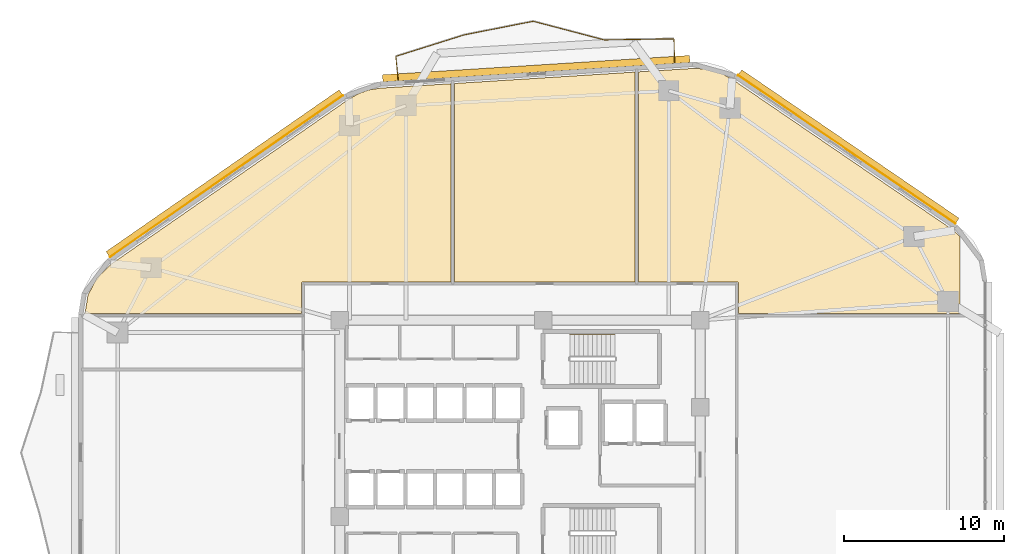
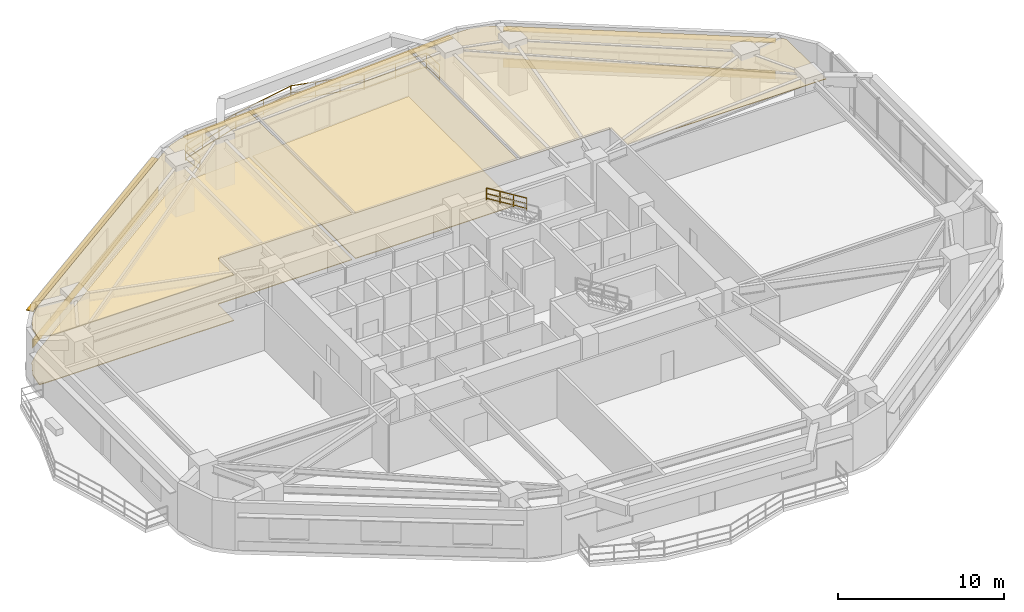
# One storey, part 14 of 14: 7 coverings, 7 railings, 3 shading devices.
"""IFC4 building model written with IfcOpenShell, lengths in metres."""

import ifcopenshell
import ifcopenshell.guid

model = None  # the IFC model being written
_history = None  # IfcOwnerHistory: only IFC2X3 demands one
_inside = {}  # id of a spatial element -> (the spatial element, [elements in it])
_under = {}  # id of a project, library or spatial element -> (it, [spatial elements below it])
_declared = {}  # id of a project -> (the project, [libraries it declares])
_typed = {}  # id of a type object -> (the type object, [elements of that type])
_made_of = {}  # id of a material, layer set ... -> (it, [elements and type objects made of it])


def new_model(schema):
    """Start an empty IFC model of exactly this schema.

    Asked for "IFC4X3", IfcOpenShell would pick the latest addendum, in which some entities
    have other attributes; the version numbers below select the first issue.
    IFC2X3 requires an IfcOwnerHistory on every rooted entity: one is made here for all.
    """
    global model, _history
    if schema == "IFC4X3":
        model = ifcopenshell.file(schema_version=(4, 3, 0, 0))
    else:
        model = ifcopenshell.file(schema=schema)
    _inside.clear()
    _under.clear()
    _declared.clear()
    _typed.clear()
    _made_of.clear()
    _history = None
    if model.schema == "IFC2X3":
        org = make("IfcOrganization", Name="unknown")
        user = make(
            "IfcPersonAndOrganization",
            ThePerson=make("IfcPerson", FamilyName="unknown"),
            TheOrganization=org,
        )
        app = make(
            "IfcApplication",
            ApplicationDeveloper=org,
            Version="unknown",
            ApplicationFullName="unknown",
            ApplicationIdentifier="unknown",
        )
        _history = make(
            "IfcOwnerHistory",
            OwningUser=user,
            OwningApplication=app,
            ChangeAction="ADDED",
            CreationDate=0,
        )
    return model


def make(cls, **values):
    """One entity of the class cls with the attributes given. An attribute that is None is left unset."""
    return model.create_entity(
        cls, **{name: value for name, value in values.items() if value is not None}
    )


def rooted(cls, **values):
    """An entity with a GlobalId (a new one), such as an element, a storey or a relation."""
    return make(cls, GlobalId=ifcopenshell.guid.new(), OwnerHistory=_history, **values)


def si_unit(unit_type, name, prefix=None):
    """IfcSIUnit, for example si_unit("LENGTHUNIT", "METRE", prefix="MILLI")."""
    return make("IfcSIUnit", UnitType=unit_type, Prefix=prefix, Name=name)


def assignment(units):
    """IfcUnitAssignment: the units of a project."""
    return None if units is None else make("IfcUnitAssignment", Units=units)


def point(xyz):
    """IfcCartesianPoint."""
    return None if xyz is None else make("IfcCartesianPoint", Coordinates=xyz)


def direction(xyz):
    """IfcDirection."""
    return None if xyz is None else make("IfcDirection", DirectionRatios=xyz)


def frame(location, z_axis=None, x_axis=None):
    """IfcAxis2Placement3D, a coordinate frame: its origin and axes. An axis left out is left unset."""
    return make(
        "IfcAxis2Placement3D",
        Location=point(location),
        Axis=direction(z_axis),
        RefDirection=direction(x_axis),
    )


def frame_2d(location, x_axis=None):
    """IfcAxis2Placement2D, a coordinate frame in the plane: its origin and x axis."""
    return make(
        "IfcAxis2Placement2D", Location=point(location), RefDirection=direction(x_axis)
    )


def origin():
    """The frame at (0, 0, 0) with its axes left unset."""
    return frame((0.0, 0.0, 0.0))


def origin_2d():
    """The frame at (0, 0) in the plane with its x axis left unset."""
    return frame_2d((0.0, 0.0))


def place(relative_to, where):
    """IfcLocalPlacement: puts the frame where relative to a parent placement (None: the world)."""
    return make(
        "IfcLocalPlacement", PlacementRelTo=relative_to, RelativePlacement=where
    )


def context(
    kind, dimensions, precision=None, world=None, true_north=None, identifier=None
):
    """IfcGeometricRepresentationContext, for example the 3D "Model" context."""
    return make(
        "IfcGeometricRepresentationContext",
        ContextIdentifier=identifier,
        ContextType=kind,
        CoordinateSpaceDimension=dimensions,
        Precision=precision,
        WorldCoordinateSystem=world,
        TrueNorth=true_north,
    )


def subcontext(parent, identifier, kind, view, scale=None):
    """IfcGeometricRepresentationSubContext, for example "Body" below "Model"."""
    return make(
        "IfcGeometricRepresentationSubContext",
        ContextIdentifier=identifier,
        ContextType=kind,
        ParentContext=parent,
        TargetScale=scale,
        TargetView=view,
    )


def project(units=None, contexts=None):
    """IfcProject with its units and contexts."""
    return rooted(
        "IfcProject",
        Name="project",
        RepresentationContexts=contexts,
        UnitsInContext=assignment(units),
    )


def spatial(cls, under=None, at=None, **own):
    """A site, building, storey or space (cls), placed at a placement, below another one or the project."""
    s = rooted(cls, ObjectPlacement=at, **own)
    if under is not None:
        _under.setdefault(under.id(), (under, []))[1].append(s)
    return s


def polyline(points):
    """IfcPolyline through the points."""
    return make("IfcPolyline", Points=[point(p) for p in points])


def profile(cls, at=None, kind="AREA", **sizes):
    """A parametric profile (cls). Its sizes go by their IFC names, for example OverallWidth=200.0."""
    return make(cls, ProfileType=kind, Position=at, **sizes)


def rectangle(**sizes):
    """IfcRectangleProfileDef."""
    return profile("IfcRectangleProfileDef", **sizes)


def outline(outer, holes=None, kind="AREA"):
    """IfcArbitraryClosedProfileDef: a profile drawn as a closed curve; with holes, ...WithVoids."""
    if holes is None:
        return make("IfcArbitraryClosedProfileDef", ProfileType=kind, OuterCurve=outer)
    return make(
        "IfcArbitraryProfileDefWithVoids",
        ProfileType=kind,
        OuterCurve=outer,
        InnerCurves=holes,
    )


def extrude(swept, where, along, depth):
    """IfcExtrudedAreaSolid: the profile swept, set in the frame where, extruded along a direction by depth."""
    return make(
        "IfcExtrudedAreaSolid",
        SweptArea=swept,
        Position=where,
        ExtrudedDirection=direction(along),
        Depth=depth,
    )


def shape(context_of_items, identifier, shape_type, items):
    """IfcShapeRepresentation: the items that make up one representation, for example the "Body"."""
    return make(
        "IfcShapeRepresentation",
        ContextOfItems=context_of_items,
        RepresentationIdentifier=identifier,
        RepresentationType=shape_type,
        Items=items,
    )


def material(Name=None, Category=None):
    """IfcMaterial."""
    return make("IfcMaterial", Name=Name, Category=Category)


def layer(
    of_material, thickness, ventilated=None, Name=None, Category=None, Priority=None
):
    """IfcMaterialLayer: one layer of a wall or slab, of a material (None: an air gap)."""
    return make(
        "IfcMaterialLayer",
        Material=of_material,
        LayerThickness=thickness,
        IsVentilated=ventilated,
        Name=Name,
        Category=Category,
        Priority=Priority,
    )


def layer_set(layers, Name=None):
    """IfcMaterialLayerSet."""
    return make("IfcMaterialLayerSet", MaterialLayers=layers, LayerSetName=Name)


def made_of(thing, what):
    """Note that an element or type object is made of a material, layer set ...; save() writes the relation."""
    if what is not None:
        _made_of.setdefault(what.id(), (what, []))[1].append(thing)
    return thing


def type_object(cls, material=None, **own):
    """A type object (cls), such as IfcWallType, which elements share."""
    return made_of(rooted(cls, **own), material)


def element(
    cls,
    number,
    at=None,
    inside=None,
    cuts=None,
    type_object=None,
    material=None,
    context=None,
    identifier="Body",
    shape_type=None,
    held_by="IfcProductDefinitionShape",
    body=None,
    shapes=None,
    **own,
):
    """One element of the class cls, such as IfcWall. Its Tag is "e" and its number.

    at: its placement. inside: the storey or other place that contains it. cuts: it is an
    opening in that element (IfcRelVoidsElement). A single representation is given by context,
    identifier, shape_type and body (its items); several are given by shapes. held_by: the class
    of the entity that holds the representations. save() writes the other relations.
    """
    e = rooted(cls, Tag="e%d" % number, ObjectPlacement=at, **own)
    if body is not None:
        shapes = [shape(context, identifier, shape_type, body)]
    if shapes is not None:
        e.Representation = make(held_by, Representations=shapes)
    if inside is not None:
        _inside.setdefault(inside.id(), (inside, []))[1].append(e)
    if cuts is not None:
        rooted(
            "IfcRelVoidsElement", RelatingBuildingElement=cuts, RelatedOpeningElement=e
        )
    if type_object is not None:
        _typed.setdefault(type_object.id(), (type_object, []))[1].append(e)
    return made_of(e, material)


def aggregate(whole, parts):
    """IfcRelAggregates: a whole, such as a stair, and the parts it consists of."""
    return rooted("IfcRelAggregates", RelatingObject=whole, RelatedObjects=parts)


def save(model, path):
    """Write the relations noted so far, then the file.

    IfcRelAggregates (storeys below a building ...), IfcRelContainedInSpatialStructure (elements
    in a storey), IfcRelDefinesByType, IfcRelAssociatesMaterial and IfcRelDeclares: one each for
    every whole, place, type object, material and project.
    """
    for whole, parts in _under.values():
        aggregate(whole, parts)
    for where, things in _inside.values():
        rooted(
            "IfcRelContainedInSpatialStructure",
            RelatedElements=things,
            RelatingStructure=where,
        )
    for kind, things in _typed.values():
        rooted("IfcRelDefinesByType", RelatedObjects=things, RelatingType=kind)
    for what, things in _made_of.values():
        rooted("IfcRelAssociatesMaterial", RelatedObjects=things, RelatingMaterial=what)
    for by, libraries in _declared.values():
        rooted("IfcRelDeclares", RelatingContext=by, RelatedDefinitions=libraries)
    model.write(path)


model = new_model("IFC4")

# Units and contexts
model_context = context("Model", 3, precision=1e-05, world=origin(), true_north=direction((0.0, 1.0)))
body_context = subcontext(model_context, "Body", "Model", "MODEL_VIEW")
ifc_project = project(units=[si_unit("LENGTHUNIT", "METRE"), si_unit("AREAUNIT", "SQUARE_METRE"), si_unit("VOLUMEUNIT", "CUBIC_METRE"), si_unit("PLANEANGLEUNIT", "RADIAN"), si_unit("MASSUNIT", "GRAM", prefix="KILO")], contexts=[model_context])

# Site, building, storey
site_placement = place(None, origin())
site = spatial("IfcSite", under=ifc_project, at=site_placement, CompositionType="ELEMENT")
building_placement = place(site_placement, origin())
building = spatial("IfcBuilding", under=site, at=building_placement, Name="Zulverin Broadcast Headquarters", CompositionType="ELEMENT")
storey_placement = place(building_placement, frame((0.0, 0.0, 40.199951171875)))
storey = spatial("IfcBuildingStorey", under=building, at=storey_placement, Name="L09", CompositionType="ELEMENT", Elevation=40.199951171875)

# Coverings
ifc_material_1 = material(Name="Perforated pale-metal acoustic baffle ceiling", Category="aluminium")
ifc_layer_1 = layer(ifc_material_1, 0.0400390625, Name="Perforated pale-metal acoustic baffle ceiling", Category="aluminium")
ifc_layer_set_1 = layer_set([ifc_layer_1], Name="Perforated pale-metal acoustic baffle ceiling")
covering_type_1 = type_object("IfcCoveringType", Name="COV-CEIL-ACOU", PredefinedType="CEILING", material=ifc_layer_set_1)
covering_1_placement = place(storey_placement, frame((0.0, 0.0, 3.344970703125)))
element("IfcCovering", 1, at=covering_1_placement, inside=storey, type_object=covering_type_1, Name="L09 Acoustic Baffle Ceiling 01", PredefinedType="CEILING", context=body_context, shape_type="SweptSolid", body=[
    extrude(outline(polyline([(11.4599609375, 36.583984375), (10.56005859375, 35.719970703125), (10.0, 34.639892578125), (9.81591796875, 33.5), (23.33203125, 33.5), (23.33203125, 35.35205078125), (23.33203125, 35.364013671875), (23.3359375, 35.3759765625), (23.3359375, 35.387939453125), (23.340087890625, 35.39599609375), (23.347900390625, 35.407958984375), (23.35205078125, 35.419921875), (23.360107421875, 35.427978515625), (23.367919921875, 35.43603515625), (23.3759765625, 35.444091796875), (23.384033203125, 35.451904296875), (23.39599609375, 35.4560546875), (23.407958984375, 35.464111328125), (23.416015625, 35.468017578125), (23.427978515625, 35.468017578125), (23.43994140625, 35.471923828125), (23.451904296875, 35.471923828125), (32.679931640625, 35.471923828125), (32.679931640625, 47.85205078125), (28.27587890625, 47.575927734375), (27.575927734375, 47.468017578125), (26.927978515625, 47.243896484375), (26.31591796875, 46.89599609375), (11.4599609375, 36.583984375)])), origin(), (0.0, 0.0, 1.0), 0.0400390625),
])
covering_2_placement = place(storey_placement, frame((0.0, 0.0, 3.344970703125)))
element("IfcCovering", 2, at=covering_2_placement, inside=storey, type_object=covering_type_1, Name="L09 Acoustic Baffle Ceiling 02", PredefinedType="CEILING", context=body_context, shape_type="SweptSolid", body=[
    extrude(outline(polyline([(44.179931640625, 35.471923828125), (44.179931640625, 48.580078125), (32.919921875, 47.867919921875), (32.919921875, 35.471923828125), (44.179931640625, 35.471923828125)])), origin(), (0.0, 0.0, 1.0), 0.0400390625),
])
covering_3_placement = place(storey_placement, frame((0.0, 0.0, 3.344970703125)))
element("IfcCovering", 3, at=covering_3_placement, inside=storey, type_object=covering_type_1, Name="L09 Acoustic Baffle Ceiling 03", PredefinedType="CEILING", context=body_context, shape_type="SweptSolid", body=[
    extrude(outline(polyline([(64.5, 38.303955078125), (64.115966796875, 38.672119140625), (50.248046875, 48.139892578125), (49.491943359375, 48.548095703125), (48.68408203125, 48.76806640625), (47.823974609375, 48.80810546875), (44.419921875, 48.595947265625), (44.419921875, 35.471923828125), (50.552001953125, 35.471923828125), (50.56396484375, 35.471923828125), (50.575927734375, 35.468017578125), (50.587890625, 35.468017578125), (50.595947265625, 35.464111328125), (50.60791015625, 35.4560546875), (50.6201171875, 35.451904296875), (50.6279296875, 35.444091796875), (50.635986328125, 35.43603515625), (50.64404296875, 35.427978515625), (50.652099609375, 35.419921875), (50.656005859375, 35.407958984375), (50.6640625, 35.39599609375), (50.66796875, 35.387939453125), (50.66796875, 35.3759765625), (50.672119140625, 35.364013671875), (50.672119140625, 35.35205078125), (50.672119140625, 33.5), (64.5, 33.5), (64.5, 38.303955078125)])), origin(), (0.0, 0.0, 1.0), 0.0400390625),
])
ifc_material_2 = material(Name="Brushed pale-aluminium rainscreen cladding", Category="aluminium")
ifc_layer_2 = layer(ifc_material_2, 0.0400390625, Name="Brushed pale-aluminium rainscreen cladding", Category="aluminium")
ifc_layer_set_2 = layer_set([ifc_layer_2], Name="Brushed pale-aluminium rainscreen cladding")
covering_type_2 = type_object("IfcCoveringType", Name="COV-CLAD-PALE", PredefinedType="CLADDING", material=ifc_layer_set_2)
covering_4_placement = place(storey_placement, frame((57.418212890625, 43.742431640625, 0.05517578125), z_axis=(0.0, 0.0, 1.0), x_axis=(-0.825756855157, 0.564026254851, 0.0)))
element("IfcCovering", 4, at=covering_4_placement, inside=storey, type_object=covering_type_2, Name="L09 Brushed Pale-Aluminium Spandrel Cladding 4", PredefinedType="CLADDING", context=body_context, shape_type="SweptSolid", body=[
    extrude(rectangle(XDim=16.4482421875, YDim=0.0400390625, at=origin_2d()), origin(), (0.0, 0.0, 1.0), 0.64990234375),
])
covering_5_placement = place(storey_placement, frame((18.648193359375, 42.072021484375, 0.05517578125), z_axis=(0.0, 0.0, 1.0), x_axis=(-0.821556397865, -0.57012725345, 0.0)))
element("IfcCovering", 5, at=covering_5_placement, inside=storey, type_object=covering_type_2, Name="L09 Brushed Pale-Aluminium Spandrel Cladding 6", PredefinedType="CLADDING", context=body_context, shape_type="SweptSolid", body=[
    extrude(rectangle(XDim=17.732421875, YDim=0.0400390625, at=origin_2d()), origin(), (0.0, 0.0, 1.0), 0.64990234375),
])
ifc_material_3 = material(Name="Anti-static broadcast raised access flooring", Category="stone")
ifc_layer_3 = layer(ifc_material_3, 0.050048828125, Name="Anti-static broadcast raised access flooring", Category="stone")
ifc_layer_set_3 = layer_set([ifc_layer_3], Name="Anti-static broadcast raised access flooring")
covering_type_3 = type_object("IfcCoveringType", Name="COV-FLR-RAISED", PredefinedType="FLOORING", material=ifc_layer_set_3)
covering_6_placement = place(storey_placement, origin())
element("IfcCovering", 6, at=covering_6_placement, inside=storey, type_object=covering_type_3, Name="L09 Broadcast Raised Access Flooring 01", PredefinedType="FLOORING", context=body_context, shape_type="SweptSolid", body=[
    extrude(outline(polyline([(11.4599609375, 36.583984375), (10.56005859375, 35.719970703125), (10.0, 34.639892578125), (9.81591796875, 33.5), (23.33203125, 33.5), (23.33203125, 35.35205078125), (23.33203125, 35.364013671875), (23.3359375, 35.3759765625), (23.3359375, 35.387939453125), (23.340087890625, 35.39599609375), (23.347900390625, 35.407958984375), (23.35205078125, 35.419921875), (23.360107421875, 35.427978515625), (23.367919921875, 35.43603515625), (23.3759765625, 35.444091796875), (23.384033203125, 35.451904296875), (23.39599609375, 35.4560546875), (23.407958984375, 35.464111328125), (23.416015625, 35.468017578125), (23.427978515625, 35.468017578125), (23.43994140625, 35.471923828125), (23.451904296875, 35.471923828125), (32.679931640625, 35.471923828125), (32.679931640625, 47.85205078125), (28.27587890625, 47.575927734375), (27.575927734375, 47.468017578125), (26.927978515625, 47.243896484375), (26.31591796875, 46.89599609375), (11.4599609375, 36.583984375)])), origin(), (0.0, 0.0, 1.0), 0.050048828125),
])
covering_7_placement = place(storey_placement, origin())
element("IfcCovering", 7, at=covering_7_placement, inside=storey, type_object=covering_type_3, Name="L09 Broadcast Raised Access Flooring 02", PredefinedType="FLOORING", context=body_context, shape_type="SweptSolid", body=[
    extrude(outline(polyline([(44.179931640625, 35.471923828125), (44.179931640625, 48.580078125), (32.919921875, 47.867919921875), (32.919921875, 35.471923828125), (44.179931640625, 35.471923828125)])), origin(), (0.0, 0.0, 1.0), 0.050048828125),
])

# Railings
ifc_material_4 = material(Name="Brushed stainless steel & laminated glass balustrade", Category="steel")
railing_type_1 = type_object("IfcRailingType", Name="RL-GUARD-1150", PredefinedType="GUARDRAIL", material=ifc_material_4)
railing_1_placement = place(storey_placement, frame((46.662841796875, 49.176025390625, 0.0)))
element("IfcRailing", 8, at=railing_1_placement, inside=storey, type_object=railing_type_1, Name="L09 Vertical-Forest Balcony Guardrail BAL_N Segment 01", PredefinedType="GUARDRAIL", context=body_context, shape_type="SweptSolid", body=[
    extrude(rectangle(XDim=0.048095703125, YDim=0.048095703125, at=origin_2d()), frame((0.0, 0.0, 1.1259765625), z_axis=(-0.022479328211, 0.999747307975, 0.0), x_axis=(-0.999747307975, -0.022479328211, 0.0)), (0.0, 0.0, 1.0), 1.46630859375),
    extrude(rectangle(XDim=0.0419921875, YDim=0.0419921875, at=origin_2d()), frame((0.0, 0.0, 0.597900390625), z_axis=(-0.022479328211, 0.999747307975, 0.0), x_axis=(-0.999747307975, -0.022479328211, 0.0)), (0.0, 0.0, 1.0), 1.46630859375),
    extrude(rectangle(XDim=0.0419921875, YDim=0.0419921875, at=origin_2d()), frame((0.0, 0.0, 0.1201171875), z_axis=(-0.022479328211, 0.999747307975, 0.0), x_axis=(-0.999747307975, -0.022479328211, 0.0)), (0.0, 0.0, 1.0), 1.46630859375),
    extrude(rectangle(XDim=0.0419921875, YDim=0.0419921875, at=origin_2d()), origin(), (0.0, 0.0, 1.0), 1.101806640625),
    extrude(rectangle(XDim=0.0419921875, YDim=0.0419921875, at=origin_2d()), frame((-0.032958984375, 1.4658203125, 0.0)), (0.0, 0.0, 1.0), 1.101806640625),
])
railing_2_placement = place(storey_placement, frame((46.614501953125, 50.65673828125, 0.0)))
element("IfcRailing", 9, at=railing_2_placement, inside=storey, type_object=railing_type_1, Name="L09 Vertical-Forest Balcony Guardrail BAL_N Segment 02", PredefinedType="GUARDRAIL", context=body_context, shape_type="SweptSolid", body=[
    extrude(rectangle(XDim=0.048095703125, YDim=0.048095703125, at=origin_2d()), frame((0.0, 0.0, 1.1259765625), z_axis=(-0.999879036246, -0.015553548667, 0.0), x_axis=(0.015553548667, -0.999879036246, 0.0)), (0.0, 0.0, 1.0), 4.332275390625),
    extrude(rectangle(XDim=0.0419921875, YDim=0.0419921875, at=origin_2d()), frame((0.0, 0.0, 0.597900390625), z_axis=(-0.999879036246, -0.015553548667, 0.0), x_axis=(0.015553548667, -0.999879036246, 0.0)), (0.0, 0.0, 1.0), 4.332275390625),
    extrude(rectangle(XDim=0.0419921875, YDim=0.0419921875, at=origin_2d()), frame((0.0, 0.0, 0.1201171875), z_axis=(-0.999879036246, -0.015553548667, 0.0), x_axis=(0.015553548667, -0.999879036246, 0.0)), (0.0, 0.0, 1.0), 4.332275390625),
    extrude(rectangle(XDim=0.0419921875, YDim=0.0419921875, at=origin_2d()), origin(), (0.0, 0.0, 1.0), 1.101806640625),
    extrude(rectangle(XDim=0.0419921875, YDim=0.0419921875, at=origin_2d()), frame((-2.166015625, -0.03369140625, 0.0)), (0.0, 0.0, 1.0), 1.101806640625),
    extrude(rectangle(XDim=0.0419921875, YDim=0.0419921875, at=origin_2d()), frame((-4.331787109375, -0.0673828125, 0.0)), (0.0, 0.0, 1.0), 1.101806640625),
])
railing_3_placement = place(storey_placement, frame((42.253173828125, 50.593017578125, 0.0)))
element("IfcRailing", 10, at=railing_3_placement, inside=storey, type_object=railing_type_1, Name="L09 Vertical-Forest Balcony Guardrail BAL_N Segment 03", PredefinedType="GUARDRAIL", context=body_context, shape_type="SweptSolid", body=[
    extrude(rectangle(XDim=0.048095703125, YDim=0.048095703125, at=origin_2d()), frame((0.0, 0.0, 1.1259765625), z_axis=(-0.967192331505, 0.254045259507, 0.0), x_axis=(-0.254045259507, -0.967192331505, 0.0)), (0.0, 0.0, 1.0), 4.56005859375),
    extrude(rectangle(XDim=0.0419921875, YDim=0.0419921875, at=origin_2d()), frame((0.0, 0.0, 0.597900390625), z_axis=(-0.967192331505, 0.254045259507, 0.0), x_axis=(-0.254045259507, -0.967192331505, 0.0)), (0.0, 0.0, 1.0), 4.56005859375),
    extrude(rectangle(XDim=0.0419921875, YDim=0.0419921875, at=origin_2d()), frame((0.0, 0.0, 0.1201171875), z_axis=(-0.967192331505, 0.254045259507, 0.0), x_axis=(-0.254045259507, -0.967192331505, 0.0)), (0.0, 0.0, 1.0), 4.56005859375),
    extrude(rectangle(XDim=0.0419921875, YDim=0.0419921875, at=origin_2d()), origin(), (0.0, 0.0, 1.0), 1.101806640625),
    extrude(rectangle(XDim=0.0419921875, YDim=0.0419921875, at=origin_2d()), frame((-1.47021484375, 0.38623046875, 0.0)), (0.0, 0.0, 1.0), 1.101806640625),
    extrude(rectangle(XDim=0.0419921875, YDim=0.0419921875, at=origin_2d()), frame((-2.940185546875, 0.772216796875, 0.0)), (0.0, 0.0, 1.0), 1.101806640625),
    extrude(rectangle(XDim=0.0419921875, YDim=0.0419921875, at=origin_2d()), frame((-4.410400390625, 1.158447265625, 0.0)), (0.0, 0.0, 1.0), 1.101806640625),
])
railing_4_placement = place(storey_placement, frame((37.8134765625, 51.752197265625, 0.0)))
element("IfcRailing", 11, at=railing_4_placement, inside=storey, type_object=railing_type_1, Name="L09 Vertical-Forest Balcony Guardrail BAL_N Segment 04", PredefinedType="GUARDRAIL", context=body_context, shape_type="SweptSolid", body=[
    extrude(rectangle(XDim=0.048095703125, YDim=0.048095703125, at=origin_2d()), frame((0.0, 0.0, 1.1259765625), z_axis=(-0.981131719927, -0.193340497964, 0.0), x_axis=(0.193340497964, -0.981131719927, 0.0)), (0.0, 0.0, 1.0), 4.365234375),
    extrude(rectangle(XDim=0.0419921875, YDim=0.0419921875, at=origin_2d()), frame((0.0, 0.0, 0.597900390625), z_axis=(-0.981131719927, -0.193340497964, 0.0), x_axis=(0.193340497964, -0.981131719927, 0.0)), (0.0, 0.0, 1.0), 4.365234375),
    extrude(rectangle(XDim=0.0419921875, YDim=0.0419921875, at=origin_2d()), frame((0.0, 0.0, 0.1201171875), z_axis=(-0.981131719927, -0.193340497964, 0.0), x_axis=(0.193340497964, -0.981131719927, 0.0)), (0.0, 0.0, 1.0), 4.365234375),
    extrude(rectangle(XDim=0.0419921875, YDim=0.0419921875, at=origin_2d()), origin(), (0.0, 0.0, 1.0), 1.101806640625),
    extrude(rectangle(XDim=0.0419921875, YDim=0.0419921875, at=origin_2d()), frame((-2.1416015625, -0.421875, 0.0)), (0.0, 0.0, 1.0), 1.101806640625),
    extrude(rectangle(XDim=0.0419921875, YDim=0.0419921875, at=origin_2d()), frame((-4.282958984375, -0.843994140625, 0.0)), (0.0, 0.0, 1.0), 1.101806640625),
])
railing_5_placement = place(storey_placement, frame((33.50146484375, 50.90087890625, 0.0)))
element("IfcRailing", 12, at=railing_5_placement, inside=storey, type_object=railing_type_1, Name="L09 Vertical-Forest Balcony Guardrail BAL_N Segment 05", PredefinedType="GUARDRAIL", context=body_context, shape_type="SweptSolid", body=[
    extrude(rectangle(XDim=0.048095703125, YDim=0.048095703125, at=origin_2d()), frame((0.0, 0.0, 1.1259765625), z_axis=(-0.954002220599, -0.29979953818, 0.0), x_axis=(0.29979953818, -0.954002220599, 0.0)), (0.0, 0.0, 1.0), 4.457763671875),
    extrude(rectangle(XDim=0.0419921875, YDim=0.0419921875, at=origin_2d()), frame((0.0, 0.0, 0.597900390625), z_axis=(-0.954002220599, -0.29979953818, 0.0), x_axis=(0.29979953818, -0.954002220599, 0.0)), (0.0, 0.0, 1.0), 4.457763671875),
    extrude(rectangle(XDim=0.0419921875, YDim=0.0419921875, at=origin_2d()), frame((0.0, 0.0, 0.1201171875), z_axis=(-0.954002220599, -0.29979953818, 0.0), x_axis=(0.29979953818, -0.954002220599, 0.0)), (0.0, 0.0, 1.0), 4.457763671875),
    extrude(rectangle(XDim=0.0419921875, YDim=0.0419921875, at=origin_2d()), origin(), (0.0, 0.0, 1.0), 1.101806640625),
    extrude(rectangle(XDim=0.0419921875, YDim=0.0419921875, at=origin_2d()), frame((-1.41748046875, -0.445556640625, 0.0)), (0.0, 0.0, 1.0), 1.101806640625),
    extrude(rectangle(XDim=0.0419921875, YDim=0.0419921875, at=origin_2d()), frame((-2.835205078125, -0.890869140625, 0.0)), (0.0, 0.0, 1.0), 1.101806640625),
    extrude(rectangle(XDim=0.0419921875, YDim=0.0419921875, at=origin_2d()), frame((-4.252685546875, -1.33642578125, 0.0)), (0.0, 0.0, 1.0), 1.101806640625),
])
railing_6_placement = place(storey_placement, frame((29.236083984375, 49.545166015625, 0.0)))
element("IfcRailing", 13, at=railing_6_placement, inside=storey, type_object=railing_type_1, Name="L09 Vertical-Forest Balcony Guardrail BAL_N Segment 06", PredefinedType="GUARDRAIL", context=body_context, shape_type="SweptSolid", body=[
    extrude(rectangle(XDim=0.048095703125, YDim=0.048095703125, at=origin_2d()), frame((0.0, 0.0, 1.1259765625), z_axis=(0.103393334431, -0.994640547331, 0.0), x_axis=(0.994640547331, 0.103393334431, 0.0)), (0.0, 0.0, 1.0), 1.46630859375),
    extrude(rectangle(XDim=0.0419921875, YDim=0.0419921875, at=origin_2d()), frame((0.0, 0.0, 0.597900390625), z_axis=(0.103393334431, -0.994640547331, 0.0), x_axis=(0.994640547331, 0.103393334431, 0.0)), (0.0, 0.0, 1.0), 1.46630859375),
    extrude(rectangle(XDim=0.0419921875, YDim=0.0419921875, at=origin_2d()), frame((0.0, 0.0, 0.1201171875), z_axis=(0.103393334431, -0.994640547331, 0.0), x_axis=(0.994640547331, 0.103393334431, 0.0)), (0.0, 0.0, 1.0), 1.46630859375),
    extrude(rectangle(XDim=0.0419921875, YDim=0.0419921875, at=origin_2d()), origin(), (0.0, 0.0, 1.0), 1.101806640625),
    extrude(rectangle(XDim=0.0419921875, YDim=0.0419921875, at=origin_2d()), frame((0.151611328125, -1.45849609375, 0.0)), (0.0, 0.0, 1.0), 1.101806640625),
])
ifc_material_5 = material(Name="Brushed stainless steel 48 mm handrail", Category="steel")
railing_type_2 = type_object("IfcRailingType", Name="RL-ST-HAND", PredefinedType="HANDRAIL", material=ifc_material_5)
railing_7_placement = place(storey_placement, frame((42.929931640625, 32.199951171875, 2.07275390625)))
element("IfcRailing", 14, at=railing_7_placement, inside=storey, type_object=railing_type_2, Name="L09 ST-1 stair handrail 2", PredefinedType="HANDRAIL", context=body_context, shape_type="SweptSolid", body=[
    extrude(rectangle(XDim=0.048095703125, YDim=0.048095703125, at=origin_2d()), frame((0.0, 0.0, 0.8759765625), z_axis=(-0.851089632645, 0.0, 0.525020415988), x_axis=(0.0, -1.0, 0.0)), (0.0, 0.0, 1.0), 3.2900390625),
    extrude(rectangle(XDim=0.0419921875, YDim=0.0419921875, at=origin_2d()), frame((0.0, 0.0, 0.468017578125), z_axis=(-0.851089632645, 0.0, 0.525020415988), x_axis=(0.0, -1.0, 0.0)), (0.0, 0.0, 1.0), 3.2900390625),
    extrude(rectangle(XDim=0.0419921875, YDim=0.0419921875, at=origin_2d()), frame((0.0, 0.0, 0.1201171875), z_axis=(-0.851089632645, 0.0, 0.525020415988), x_axis=(0.0, -1.0, 0.0)), (0.0, 0.0, 1.0), 3.2900390625),
    extrude(rectangle(XDim=0.0419921875, YDim=0.0419921875, at=origin_2d()), origin(), (0.0, 0.0, 1.0), 0.851806640625),
    extrude(rectangle(XDim=0.0419921875, YDim=0.0419921875, at=origin_2d()), frame((-0.933349609375, 0.0, 0.57568359375)), (0.0, 0.0, 1.0), 0.851806640625),
    extrude(rectangle(XDim=0.0419921875, YDim=0.0419921875, at=origin_2d()), frame((-1.86669921875, 0.0, 1.151611328125)), (0.0, 0.0, 1.0), 0.851806640625),
    extrude(rectangle(XDim=0.0419921875, YDim=0.0419921875, at=origin_2d()), frame((-2.800048828125, 0.0, 1.727294921875)), (0.0, 0.0, 1.0), 0.851806640625),
])

# Shading devices
ifc_material_6 = material(Name="Anodized pale-metal aluminium sunshade", Category="aluminium")
ifc_layer_4 = layer(ifc_material_6, 0.06005859375, Name="Anodized pale-metal aluminium sunshade", Category="aluminium")
ifc_layer_set_4 = layer_set([ifc_layer_4], Name="Anodized pale-metal aluminium sunshade")
shading_device_type = type_object("IfcShadingDeviceType", Name="SS-01_PALE_METAL_ALUMINIUM_SUNSHADE", PredefinedType="USERDEFINED", material=ifc_layer_set_4)
shading_device_1_placement = place(storey_placement, frame((57.525390625, 43.8994140625, 2.7099609375), z_axis=(0.0, 0.0, 1.0), x_axis=(-0.825756855157, 0.564026254851, 0.0)))
element("IfcShadingDevice", 15, at=shading_device_1_placement, inside=storey, type_object=shading_device_type, Name="L09 Horizontal Pale-Metal Sunshade Band 4", ObjectType="SUNSHADE", PredefinedType="USERDEFINED", context=body_context, shape_type="SweptSolid", body=[
    extrude(rectangle(XDim=16.4482421875, YDim=0.449951171875, at=origin_2d()), origin(), (0.0, 0.0, 1.0), 0.06005859375),
])
shading_device_2_placement = place(storey_placement, frame((38.01513671875, 48.791015625, 2.7099609375), z_axis=(0.0, 0.0, 1.0), x_axis=(-0.998017621976, -0.062935095345, 0.0)))
element("IfcShadingDevice", 16, at=shading_device_2_placement, inside=storey, type_object=shading_device_type, Name="L09 Horizontal Pale-Metal Sunshade Band 5", ObjectType="SUNSHADE", PredefinedType="USERDEFINED", context=body_context, shape_type="SweptSolid", body=[
    extrude(rectangle(XDim=19.2294921875, YDim=0.449951171875, at=origin_2d()), origin(), (0.0, 0.0, 1.0), 0.06005859375),
])
shading_device_3_placement = place(storey_placement, frame((18.539794921875, 42.22802734375, 2.7099609375), z_axis=(0.0, 0.0, 1.0), x_axis=(-0.821556397865, -0.57012725345, 0.0)))
element("IfcShadingDevice", 17, at=shading_device_3_placement, inside=storey, type_object=shading_device_type, Name="L09 Horizontal Pale-Metal Sunshade Band 6", ObjectType="SUNSHADE", PredefinedType="USERDEFINED", context=body_context, shape_type="SweptSolid", body=[
    extrude(rectangle(XDim=17.732421875, YDim=0.449951171875, at=origin_2d()), origin(), (0.0, 0.0, 1.0), 0.06005859375),
])

save(model, "model.ifc")
